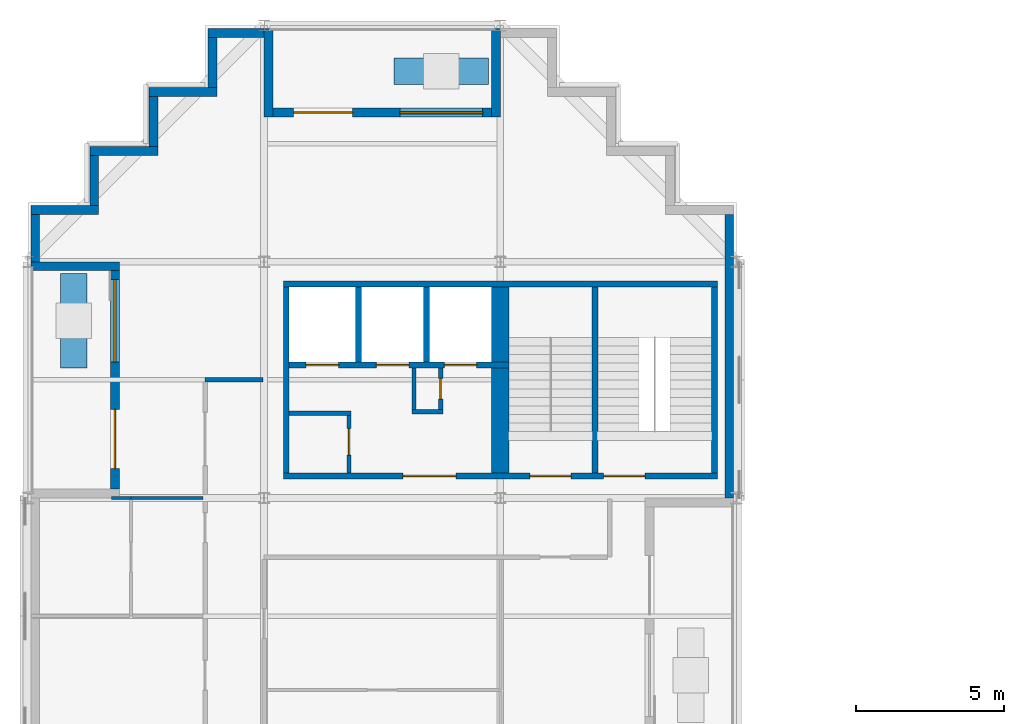
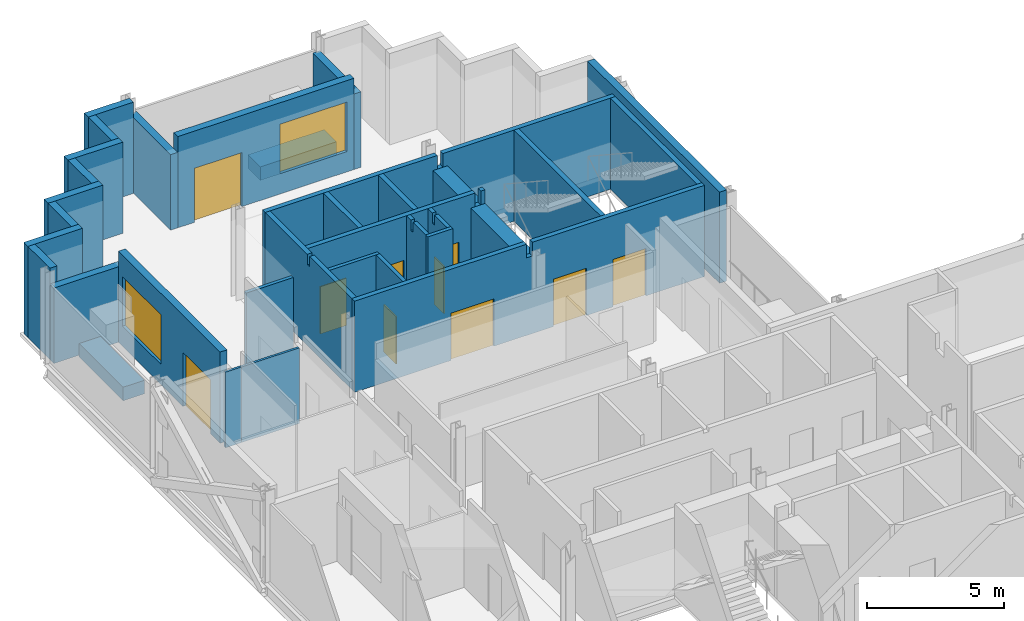
# One storey, part 8 of 12: 34 walls, 10 doors, 2 windows, 12 openings.
"""IFC4 building model written with IfcOpenShell, lengths in metres."""

from ifc_helpers import new_model, si_unit, direction, frame, frame_2d, origin, place, context, subcontext, project, spatial, polyline, rectangle, outline, extrude, material, layer, layer_set, type_object, element, fill, save


model = new_model("IFC4")

# Units and contexts
model_context = context("Model", 3, precision=1e-05, world=origin(), true_north=direction((0.0, 1.0)))
body_context = subcontext(model_context, "Body", "Model", "MODEL_VIEW")
ifc_project = project(units=[si_unit("LENGTHUNIT", "METRE"), si_unit("AREAUNIT", "SQUARE_METRE"), si_unit("VOLUMEUNIT", "CUBIC_METRE"), si_unit("PLANEANGLEUNIT", "RADIAN"), si_unit("MASSUNIT", "GRAM", prefix="KILO")], contexts=[model_context])

# Site, building, storey
site_placement = place(None, origin())
site = spatial("IfcSite", under=ifc_project, at=site_placement, CompositionType="ELEMENT")
building_placement = place(site_placement, origin())
building = spatial("IfcBuilding", under=site, at=building_placement, Name="Immortelle Media Tower", CompositionType="ELEMENT")
storey_placement = place(building_placement, frame((0.0, 0.0, 153.60009765625)))
storey = spatial("IfcBuildingStorey", under=building, at=storey_placement, Name="L31", CompositionType="ELEMENT", Elevation=153.60009765625)

# Wall
ifc_material_1 = material(Name="Fire-rated gypsum board", Category="gypsum")
ifc_layer_1 = layer(ifc_material_1, 0.02490234375)
ifc_material_2 = material(Name="Steel ASTM A653 SS Gr 50 stud frame with mineral wool", Category="steel")
ifc_layer_2 = layer(ifc_material_2, 0.10009765625)
ifc_layer_3 = layer(ifc_material_1, 0.02490234375)
ifc_layer_set_1 = layer_set([ifc_layer_1, ifc_layer_2, ifc_layer_3], Name="Steel ASTM A653 SS Gr 50 stud frame with mineral wool")
wall_type_1 = type_object("IfcWallType", Name="Core partition 150", PredefinedType="PARTITIONING", material=ifc_layer_set_1)
wall_1_placement = place(storey_placement, frame((8.85009765625, 34.875, 0.0), z_axis=(0.0, 0.0, 1.0), x_axis=(1.0, 0.0, 0.0)))
element("IfcWall", 1, at=wall_1_placement, inside=storey, type_object=wall_type_1, Name="Core partition NW", PredefinedType="PARTITIONING", context=body_context, shape_type="SweptSolid", body=[
    extrude(rectangle(XDim=2.099853515625, YDim=0.14990234375, at=frame_2d((1.0498046875, 0.0))), origin(), (0.0, 0.0, 1.0), 4.0498046875),
])

# Wall, opening, door
wall_2_placement = place(storey_placement, frame((10.875, 32.85009765625, 0.0), z_axis=(0.0, 0.0, 1.0), x_axis=(0.0, 1.0, 0.0)))
wall_2 = element("IfcWall", 2, at=wall_2_placement, inside=storey, type_object=wall_type_1, Name="Core partition NW", PredefinedType="PARTITIONING", context=body_context, shape_type="SweptSolid", body=[
    extrude(rectangle(XDim=1.949951171875, YDim=0.14990234375, at=frame_2d((0.97509765625, 0.0))), origin(), (0.0, 0.0, 1.0), 4.0498046875),
])
opening_1_placement = place(wall_2_placement, frame((0.60009765625, 0.0, 0.0)))
opening_1 = element("IfcOpeningElement", 3, at=opening_1_placement, cuts=wall_2, Name="Opening C3-K024", PredefinedType="OPENING", context=body_context, shape_type="SweptSolid", body=[
    extrude(rectangle(XDim=0.89990234375, YDim=2.10009765625, at=frame_2d((0.449951171875, 1.050048828125))), frame((0.0, 0.0849609375, 0.0), z_axis=(0.0, -1.0, 0.0), x_axis=(1.0, 0.0, 0.0)), (0.0, 0.0, 1.0), 0.169921875),
])
ifc_material_3 = material(Name="Galvanised steel door leaf and frame ASTM A653", Category="steel")
door_type_1 = type_object("IfcDoorType", Name="Service door 900 x 2100", OperationType="NOTDEFINED", PredefinedType="NOTDEFINED", material=ifc_material_3)
door_1_placement = place(opening_1_placement, origin())
door_1 = element("IfcDoor", 4, at=door_1_placement, inside=storey, type_object=door_type_1, Name="Service C3-K024", OperationType="SINGLE_SWING_RIGHT", OverallHeight=2.10009765625, OverallWidth=0.89990234375, PredefinedType="NOTDEFINED", context=body_context, shape_type="SweptSolid", body=[
    extrude(rectangle(XDim=0.89990234375, YDim=2.10009765625, at=frame_2d((0.449951171875, 1.050048828125))), frame((0.0, 0.02490234375, 0.0), z_axis=(0.0, -1.0, 0.0), x_axis=(1.0, 0.0, 0.0)), (0.0, 0.0, 1.0), 0.050048828125),
])
fill(opening_1, door_1)

# Walls
wall_3_placement = place(storey_placement, frame((13.0, 34.925048828125, 0.0), z_axis=(0.0, 0.0, 1.0), x_axis=(1.0, 0.0, 0.0)))
element("IfcWall", 5, at=wall_3_placement, inside=storey, type_object=wall_type_1, Name="Core partition NW", PredefinedType="PARTITIONING", context=body_context, shape_type="SweptSolid", body=[
    extrude(rectangle(XDim=1.050048828125, YDim=0.14990234375, at=frame_2d((0.52490234375, 0.0))), origin(), (0.0, 0.0, 1.0), 4.0498046875),
])
wall_4_placement = place(storey_placement, frame((13.074951171875, 35.0, 0.0), z_axis=(0.0, 0.0, 1.0), x_axis=(0.0, 1.0, 0.0)))
element("IfcWall", 6, at=wall_4_placement, inside=storey, type_object=wall_type_1, Name="Core partition NW", PredefinedType="PARTITIONING", context=body_context, shape_type="SweptSolid", body=[
    extrude(outline(polyline([(0.0, 0.0), (1.39990234375, 0.0), (1.39990234375, 4.0498046875), (1.08154296875, 4.0498046875), (1.08056640625, 3.5888671875), (0.91943359375, 3.5888671875), (0.91845703125, 4.0498046875), (0.0, 4.0498046875), (0.0, 0.0)])), frame((0.0, 0.074951171875, 0.0), z_axis=(0.0, -1.0, 0.0), x_axis=(1.0, 0.0, 0.0)), (0.0, 0.0, 1.0), 0.14990234375),
])

# Wall, opening, door
wall_5_placement = place(storey_placement, frame((13.97509765625, 35.0, 0.0), z_axis=(0.0, 0.0, 1.0), x_axis=(0.0, 1.0, 0.0)))
wall_5 = element("IfcWall", 7, at=wall_5_placement, inside=storey, type_object=wall_type_1, Name="Core partition NW", PredefinedType="PARTITIONING", context=body_context, shape_type="SweptSolid", body=[
    extrude(outline(polyline([(0.0, 0.0), (1.39990234375, 0.0), (1.39990234375, 4.0498046875), (1.08154296875, 4.0498046875), (1.08056640625, 3.5888671875), (0.91943359375, 3.5888671875), (0.91845703125, 4.0498046875), (0.0, 4.0498046875), (0.0, 0.0)])), frame((0.0, 0.074951171875, 0.0), z_axis=(0.0, -1.0, 0.0), x_axis=(1.0, 0.0, 0.0)), (0.0, 0.0, 1.0), 0.14990234375),
])
opening_2_placement = place(wall_5_placement, frame((0.35009765625, 0.0, 0.0)))
opening_2 = element("IfcOpeningElement", 8, at=opening_2_placement, cuts=wall_5, Name="Opening C3-K027", PredefinedType="OPENING", context=body_context, shape_type="SweptSolid", body=[
    extrude(rectangle(XDim=0.699951171875, YDim=2.10009765625, at=frame_2d((0.35009765625, 1.050048828125))), frame((0.0, 0.0849609375, 0.0), z_axis=(0.0, -1.0, 0.0), x_axis=(1.0, 0.0, 0.0)), (0.0, 0.0, 1.0), 0.169921875),
])
door_type_2 = type_object("IfcDoorType", Name="Service door 700 x 2100", OperationType="NOTDEFINED", PredefinedType="NOTDEFINED", material=ifc_material_3)
door_2_placement = place(opening_2_placement, origin())
door_2 = element("IfcDoor", 9, at=door_2_placement, inside=storey, type_object=door_type_2, Name="Service C3-K027", OperationType="SINGLE_SWING_RIGHT", OverallHeight=2.10009765625, OverallWidth=0.699951171875, PredefinedType="NOTDEFINED", context=body_context, shape_type="SweptSolid", body=[
    extrude(rectangle(XDim=0.699951171875, YDim=2.10009765625, at=frame_2d((0.35009765625, 1.050048828125))), frame((0.0, 0.02490234375, 0.0), z_axis=(0.0, -1.0, 0.0), x_axis=(1.0, 0.0, 0.0)), (0.0, 0.0, 1.0), 0.050048828125),
])
fill(opening_2, door_2)

# Wall
ifc_layer_4 = layer(ifc_material_1, 0.03759765625)
ifc_layer_5 = layer(ifc_material_2, 0.125)
ifc_layer_6 = layer(ifc_material_1, 0.03759765625)
ifc_layer_set_2 = layer_set([ifc_layer_4, ifc_layer_5, ifc_layer_6], Name="Steel ASTM A653 SS Gr 50 stud frame with mineral wool")
wall_type_2 = type_object("IfcWallType", Name="Core shaft wall 200", PredefinedType="PARTITIONING", material=ifc_layer_set_2)
wall_6_placement = place(storey_placement, frame((8.75, 32.85009765625, 0.0), z_axis=(0.0, 0.0, 1.0), x_axis=(0.0, 1.0, 0.0)))
element("IfcWall", 10, at=wall_6_placement, inside=storey, type_object=wall_type_2, Name="Core shaft wall NW", PredefinedType="PARTITIONING", context=body_context, shape_type="SweptSolid", body=[
    extrude(outline(polyline([(0.0, 0.0), (6.2998046875, 0.0), (6.300048828125, 4.0498046875), (3.2314453125, 4.0498046875), (3.23046875, 3.5888671875), (3.069580078125, 3.5888671875), (3.068603515625, 4.0498046875), (0.0, 4.0498046875), (0.0, 0.0)])), frame((0.0, 0.10009765625, 0.0), z_axis=(0.0, -1.0, 0.0), x_axis=(1.0, 0.0, 0.0)), (0.0, 0.0, 1.0), 0.199951171875),
])

# Wall, openings, doors
wall_7_placement = place(storey_placement, frame((8.85009765625, 36.5, 0.0), z_axis=(0.0, 0.0, 1.0), x_axis=(1.0, 0.0, 0.0)))
wall_7 = element("IfcWall", 11, at=wall_7_placement, inside=storey, type_object=wall_type_2, Name="Core shaft wall NW", PredefinedType="PARTITIONING", context=body_context, shape_type="SweptSolid", body=[
    extrude(outline(polyline([(0.0, 0.0), (7.449951171875, 0.0), (7.449951171875, 4.0498046875), (7.26904296875, 4.0498046875), (7.26806640625, 3.44189453125), (7.031982421875, 3.44189453125), (7.031005859375, 4.0498046875), (0.0, 4.0498046875), (0.0, 0.0)])), frame((0.0, 0.10009765625, 0.0), z_axis=(0.0, -1.0, 0.0), x_axis=(1.0, 0.0, 0.0)), (0.0, 0.0, 1.0), 0.199951171875),
])
opening_3_placement = place(wall_7_placement, frame((0.574951171875, 0.0, 0.0)))
opening_3 = element("IfcOpeningElement", 12, at=opening_3_placement, cuts=wall_7, Name="Opening LD", PredefinedType="OPENING", context=body_context, shape_type="SweptSolid", body=[
    extrude(rectangle(XDim=1.10009765625, YDim=2.10009765625, at=frame_2d((0.550048828125, 1.050048828125))), frame((0.0, 0.10986328125, 0.0), z_axis=(0.0, -1.0, 0.0), x_axis=(1.0, 0.0, 0.0)), (0.0, 0.0, 1.0), 0.219970703125),
])
opening_4_placement = place(wall_7_placement, frame((2.949951171875, 0.0, 0.0)))
opening_4 = element("IfcOpeningElement", 13, at=opening_4_placement, cuts=wall_7, Name="Opening LD", PredefinedType="OPENING", context=body_context, shape_type="SweptSolid", body=[
    extrude(rectangle(XDim=1.10009765625, YDim=2.10009765625, at=frame_2d((0.550048828125, 1.050048828125))), frame((0.0, 0.10986328125, 0.0), z_axis=(0.0, -1.0, 0.0), x_axis=(1.0, 0.0, 0.0)), (0.0, 0.0, 1.0), 0.219970703125),
])
opening_5_placement = place(wall_7_placement, frame((5.25, 0.0, 0.0)))
opening_5 = element("IfcOpeningElement", 14, at=opening_5_placement, cuts=wall_7, Name="Opening LD", PredefinedType="OPENING", context=body_context, shape_type="SweptSolid", body=[
    extrude(rectangle(XDim=1.10009765625, YDim=2.10009765625, at=frame_2d((0.550048828125, 1.050048828125))), frame((0.0, 0.10986328125, 0.0), z_axis=(0.0, -1.0, 0.0), x_axis=(1.0, 0.0, 0.0)), (0.0, 0.0, 1.0), 0.219970703125),
])
ifc_material_4 = material(Name="Stainless steel AISI 304", Category="steel")
door_type_3 = type_object("IfcDoorType", Name="Landing door 1100 x 2100", OperationType="SLIDING_TO_LEFT", PredefinedType="NOTDEFINED", material=ifc_material_4)
door_3_placement = place(opening_3_placement, origin())
door_3 = element("IfcDoor", 15, at=door_3_placement, inside=storey, type_object=door_type_3, Name="Landing door MR1 L31", OperationType="SLIDING_TO_LEFT", OverallHeight=2.10009765625, OverallWidth=1.10009765625, PredefinedType="NOTDEFINED", context=body_context, shape_type="SweptSolid", body=[
    extrude(rectangle(XDim=1.10009765625, YDim=2.10009765625, at=frame_2d((0.550048828125, 1.050048828125))), frame((0.0, 0.02490234375, 0.0), z_axis=(0.0, -1.0, 0.0), x_axis=(1.0, 0.0, 0.0)), (0.0, 0.0, 1.0), 0.050048828125),
])
fill(opening_3, door_3)
door_4_placement = place(opening_4_placement, origin())
door_4 = element("IfcDoor", 16, at=door_4_placement, inside=storey, type_object=door_type_3, Name="Landing door MR2 L31", OperationType="SLIDING_TO_LEFT", OverallHeight=2.10009765625, OverallWidth=1.10009765625, PredefinedType="NOTDEFINED", context=body_context, shape_type="SweptSolid", body=[
    extrude(rectangle(XDim=1.10009765625, YDim=2.10009765625, at=frame_2d((0.550048828125, 1.050048828125))), frame((0.0, 0.02490234375, 0.0), z_axis=(0.0, -1.0, 0.0), x_axis=(1.0, 0.0, 0.0)), (0.0, 0.0, 1.0), 0.050048828125),
])
fill(opening_4, door_4)
door_5_placement = place(opening_5_placement, origin())
door_5 = element("IfcDoor", 17, at=door_5_placement, inside=storey, type_object=door_type_3, Name="Landing door MR3 L31", OperationType="SLIDING_TO_LEFT", OverallHeight=2.10009765625, OverallWidth=1.10009765625, PredefinedType="NOTDEFINED", context=body_context, shape_type="SweptSolid", body=[
    extrude(rectangle(XDim=1.10009765625, YDim=2.10009765625, at=frame_2d((0.550048828125, 1.050048828125))), frame((0.0, 0.02490234375, 0.0), z_axis=(0.0, -1.0, 0.0), x_axis=(1.0, 0.0, 0.0)), (0.0, 0.0, 1.0), 0.050048828125),
])
fill(opening_5, door_5)

# Walls
for number, where, z_axis, x_axis, name in (
    (18, (11.199951171875, 36.60009765625, 0.0), (0.0, 0.0, 1.0), (0.0, 1.0, 0.0), "Core shaft wall NW"),
    (19, (13.5, 36.60009765625, 0.0), (0.0, 0.0, 1.0), (0.0, 1.0, 0.0), "Core shaft wall NW"),
):
    element("IfcWall", number, at=place(storey_placement, frame(where, z_axis=z_axis, x_axis=x_axis)), inside=storey, type_object=wall_type_2, Name=name, PredefinedType="PARTITIONING", context=body_context, shape_type="SweptSolid", body=[
        extrude(rectangle(XDim=2.5498046875, YDim=0.199951171875, at=frame_2d((1.27490234375, 0.0))), origin(), (0.0, 0.0, 1.0), 4.0498046875),
    ])
ifc_layer_7 = layer(ifc_material_1, 0.012451171875)
ifc_layer_8 = layer(ifc_material_2, 0.125)
ifc_layer_9 = layer(ifc_material_1, 0.012451171875)
ifc_layer_set_3 = layer_set([ifc_layer_7, ifc_layer_8, ifc_layer_9], Name="Steel ASTM A653 SS Gr 50 stud frame with mineral wool")
wall_type_3 = type_object("IfcWallType", Name="Corridor wall 150", PredefinedType="PARTITIONING", material=ifc_layer_set_3)
wall_8_placement = place(storey_placement, frame((6.0, 36.0, 0.0), z_axis=(0.0, 0.0, 1.0), x_axis=(1.0, 0.0, 0.0)))
element("IfcWall", 20, at=wall_8_placement, inside=storey, type_object=wall_type_3, Name="Partition L31-030", PredefinedType="PARTITIONING", context=body_context, shape_type="SweptSolid", body=[
    extrude(rectangle(XDim=1.969970703125, YDim=0.14990234375, at=frame_2d((0.98486328125, 0.0))), origin(), (0.0, 0.0, 1.0), 3.35400390625),
])
ifc_material_5 = material(Name="Pale aluminium cladding panel", Category="aluminium")
ifc_layer_10 = layer(ifc_material_5, 0.030029296875)
ifc_layer_11 = layer(ifc_material_2, 0.257568359375)
ifc_material_6 = material(Name="Moisture-resistant gypsum board", Category="gypsum")
ifc_layer_12 = layer(ifc_material_6, 0.012451171875)
ifc_layer_set_4 = layer_set([ifc_layer_10, ifc_layer_11, ifc_layer_12], Name="Steel ASTM A653 SS Gr 50 stud frame with mineral wool")
wall_type_4 = type_object("IfcWallType", Name="Facade wall 300", PredefinedType="SOLIDWALL", material=ifc_layer_set_4)
wall_9_placement = place(storey_placement, frame((23.75, 32.0, 0.0), z_axis=(0.0, 0.0, 1.0), x_axis=(0.0, 1.0, 0.0)))
element("IfcWall", 21, at=wall_9_placement, inside=storey, type_object=wall_type_4, Name="Facade wall L31 E21", PredefinedType="SOLIDWALL", context=body_context, shape_type="SweptSolid", body=[
    extrude(rectangle(XDim=9.60009765625, YDim=0.300048828125, at=frame_2d((4.800048828125, 0.0))), origin(), (0.0, 0.0, 1.0), 4.0498046875),
])

# Wall, openings, door, window
wall_10_placement = place(storey_placement, frame((15.699951171875, 45.050048828125, 0.0), z_axis=(0.0, 0.0, 1.0), x_axis=(-1.0, 0.0, 0.0)))
wall_10 = element("IfcWall", 22, at=wall_10_placement, inside=storey, type_object=wall_type_4, Name="Loggia wall L31 N28", PredefinedType="SOLIDWALL", context=body_context, shape_type="SweptSolid", body=[
    extrude(rectangle(XDim=7.39990234375, YDim=0.300048828125, at=frame_2d((3.699951171875, 0.0))), origin(), (0.0, 0.0, 1.0), 4.0498046875),
])
opening_6_placement = place(wall_10_placement, frame((0.300048828125, 0.0, 0.89990234375)))
opening_6 = element("IfcOpeningElement", 23, at=opening_6_placement, cuts=wall_10, Name="Opening W1", PredefinedType="OPENING", context=body_context, shape_type="SweptSolid", body=[
    extrude(rectangle(XDim=2.800048828125, YDim=2.199951171875, at=frame_2d((1.39990234375, 1.10009765625))), frame((0.0, 0.159912109375, 0.0), z_axis=(0.0, -1.0, 0.0), x_axis=(1.0, 0.0, 0.0)), (0.0, 0.0, 1.0), 0.320068359375),
])
opening_7_placement = place(wall_10_placement, frame((4.699951171875, 0.0, 0.0)))
opening_7 = element("IfcOpeningElement", 24, at=opening_7_placement, cuts=wall_10, Name="Opening C3-E006", PredefinedType="OPENING", context=body_context, shape_type="SweptSolid", body=[
    extrude(rectangle(XDim=2.0, YDim=2.39990234375, at=frame_2d((1.0, 1.199951171875))), frame((0.0, 0.159912109375, 0.0), z_axis=(0.0, -1.0, 0.0), x_axis=(1.0, 0.0, 0.0)), (0.0, 0.0, 1.0), 0.320068359375),
])
ifc_material_7 = material(Name="Aluminium frame, glazed leaves", Category="aluminium")
door_type_4 = type_object("IfcDoorType", Name="Loggia door 2000 x 2400", OperationType="DOUBLE_DOOR_SINGLE_SWING", PredefinedType="DOOR", material=ifc_material_7)
door_6_placement = place(opening_7_placement, origin())
door_6 = element("IfcDoor", 25, at=door_6_placement, inside=storey, type_object=door_type_4, Name="Door C3-E006", OperationType="DOUBLE_DOOR_SINGLE_SWING", OverallHeight=2.39990234375, OverallWidth=2.0, PredefinedType="DOOR", context=body_context, shape_type="SweptSolid", body=[
    extrude(rectangle(XDim=2.0, YDim=2.39990234375, at=frame_2d((1.0, 1.199951171875))), frame((0.0, 0.02490234375, 0.0), z_axis=(0.0, -1.0, 0.0), x_axis=(1.0, 0.0, 0.0)), (0.0, 0.0, 1.0), 0.050048828125),
])
fill(opening_7, door_6)
ifc_material_8 = material(Name="Aluminium frame", Category="aluminium")
window_type = type_object("IfcWindowType", Name="Window 2800 x 2200", PartitioningType="SINGLE_PANEL", PredefinedType="WINDOW", material=ifc_material_8)
window_1_placement = place(opening_6_placement, origin())
window_1 = element("IfcWindow", 26, at=window_1_placement, inside=storey, type_object=window_type, Name="Window L31 L31-R28-B0", OverallHeight=2.199951171875, OverallWidth=2.800048828125, PartitioningType="SINGLE_PANEL", PredefinedType="WINDOW", context=body_context, shape_type="SweptSolid", body=[
    extrude(rectangle(XDim=2.800048828125, YDim=2.199951171875, at=frame_2d((1.39990234375, 1.10009765625))), frame((0.0, 0.030029296875, 0.0), z_axis=(0.0, -1.0, 0.0), x_axis=(1.0, 0.0, 0.0)), (0.0, 0.0, 1.0), 0.06005859375),
])
fill(opening_6, window_1)

# Walls
for number, where, z_axis, x_axis, name in (
    (27, (15.85009765625, 47.89990234375, 0.0), (0.0, 0.0, 1.0), (0.0, -1.0, 0.0), "Loggia cheek wall L31 N"),
    (28, (8.14990234375, 47.89990234375, 0.0), (0.0, 0.0, 1.0), (0.0, -1.0, 0.0), "Loggia cheek wall L31 N"),
):
    element("IfcWall", number, at=place(storey_placement, frame(where, z_axis=z_axis, x_axis=x_axis)), inside=storey, type_object=wall_type_4, Name=name, PredefinedType="SOLIDWALL", context=body_context, shape_type="SweptSolid", body=[
        extrude(rectangle(XDim=3.0, YDim=0.300048828125, at=frame_2d((1.5, 0.0))), origin(), (0.0, 0.0, 1.0), 3.352783203125),
    ])
wall_11_placement = place(storey_placement, frame((8.0, 47.75, 0.0), z_axis=(0.0, 0.0, 1.0), x_axis=(-1.0, 0.0, 0.0)))
element("IfcWall", 29, at=wall_11_placement, inside=storey, type_object=wall_type_4, Name="Facade wall L31 N28", PredefinedType="SOLIDWALL", context=body_context, shape_type="SweptSolid", body=[
    extrude(rectangle(XDim=1.89990234375, YDim=0.300048828125, at=frame_2d((0.949951171875, 0.0))), origin(), (0.0, 0.0, 1.0), 4.0498046875),
])
wall_12_placement = place(storey_placement, frame((6.25, 47.60009765625, 0.0), z_axis=(0.0, 0.0, 1.0), x_axis=(0.0, -1.0, 0.0)))
element("IfcWall", 30, at=wall_12_placement, inside=storey, type_object=wall_type_4, Name="Facade wall L31 W29", PredefinedType="SOLIDWALL", context=body_context, shape_type="SweptSolid", body=[
    extrude(rectangle(XDim=1.7001953125, YDim=0.300048828125, at=frame_2d((0.85009765625, 0.0))), origin(), (0.0, 0.0, 1.0), 4.0498046875),
])
wall_13_placement = place(storey_placement, frame((6.39990234375, 45.75, 0.0), z_axis=(0.0, 0.0, 1.0), x_axis=(-1.0, 0.0, 0.0)))
element("IfcWall", 31, at=wall_13_placement, inside=storey, type_object=wall_type_4, Name="Facade wall L31 N30", PredefinedType="SOLIDWALL", context=body_context, shape_type="SweptSolid", body=[
    extrude(rectangle(XDim=2.2998046875, YDim=0.300048828125, at=frame_2d((1.14990234375, 0.0))), origin(), (0.0, 0.0, 1.0), 4.0498046875),
])
wall_14_placement = place(storey_placement, frame((4.25, 45.60009765625, 0.0), z_axis=(0.0, 0.0, 1.0), x_axis=(0.0, -1.0, 0.0)))
element("IfcWall", 32, at=wall_14_placement, inside=storey, type_object=wall_type_4, Name="Facade wall L31 W31", PredefinedType="SOLIDWALL", context=body_context, shape_type="SweptSolid", body=[
    extrude(rectangle(XDim=1.7001953125, YDim=0.300048828125, at=frame_2d((0.85009765625, 0.0))), origin(), (0.0, 0.0, 1.0), 4.0498046875),
])
wall_15_placement = place(storey_placement, frame((4.39990234375, 43.75, 0.0), z_axis=(0.0, 0.0, 1.0), x_axis=(-1.0, 0.0, 0.0)))
element("IfcWall", 33, at=wall_15_placement, inside=storey, type_object=wall_type_4, Name="Facade wall L31 N32", PredefinedType="SOLIDWALL", context=body_context, shape_type="SweptSolid", body=[
    extrude(rectangle(XDim=2.2998046875, YDim=0.300048828125, at=frame_2d((1.14990234375, 0.0))), origin(), (0.0, 0.0, 1.0), 4.0498046875),
])
wall_16_placement = place(storey_placement, frame((2.25, 43.60009765625, 0.0), z_axis=(0.0, 0.0, 1.0), x_axis=(0.0, -1.0, 0.0)))
element("IfcWall", 34, at=wall_16_placement, inside=storey, type_object=wall_type_4, Name="Facade wall L31 W33", PredefinedType="SOLIDWALL", context=body_context, shape_type="SweptSolid", body=[
    extrude(rectangle(XDim=1.7001953125, YDim=0.300048828125, at=frame_2d((0.85009765625, 0.0))), origin(), (0.0, 0.0, 1.0), 4.0498046875),
])
wall_17_placement = place(storey_placement, frame((2.39990234375, 41.75, 0.0), z_axis=(0.0, 0.0, 1.0), x_axis=(-1.0, 0.0, 0.0)))
element("IfcWall", 35, at=wall_17_placement, inside=storey, type_object=wall_type_4, Name="Facade wall L31 N34", PredefinedType="SOLIDWALL", context=body_context, shape_type="SweptSolid", body=[
    extrude(rectangle(XDim=2.2998046875, YDim=0.300048828125, at=frame_2d((1.14990234375, 0.0))), origin(), (0.0, 0.0, 1.0), 4.0498046875),
])
wall_18_placement = place(storey_placement, frame((0.25, 41.60009765625, 0.0), z_axis=(0.0, 0.0, 1.0), x_axis=(0.0, -1.0, 0.0)))
element("IfcWall", 36, at=wall_18_placement, inside=storey, type_object=wall_type_4, Name="Facade wall L31 W35", PredefinedType="SOLIDWALL", context=body_context, shape_type="SweptSolid", body=[
    extrude(rectangle(XDim=1.60009765625, YDim=0.300048828125, at=frame_2d((0.800048828125, 0.0))), origin(), (0.0, 0.0, 1.0), 4.0498046875),
])

# Wall, openings, door, window
wall_19_placement = place(storey_placement, frame((2.949951171875, 39.699951171875, 0.0), z_axis=(0.0, 0.0, 1.0), x_axis=(0.0, -1.0, 0.0)))
wall_19 = element("IfcWall", 37, at=wall_19_placement, inside=storey, type_object=wall_type_4, Name="Loggia wall L31 W35", PredefinedType="SOLIDWALL", context=body_context, shape_type="SweptSolid", body=[
    extrude(rectangle(XDim=7.39990234375, YDim=0.300048828125, at=frame_2d((3.699951171875, 0.0))), origin(), (0.0, 0.0, 1.0), 4.0498046875),
])
opening_8_placement = place(wall_19_placement, frame((0.300048828125, 0.0, 0.89990234375)))
opening_8 = element("IfcOpeningElement", 38, at=opening_8_placement, cuts=wall_19, Name="Opening W1", PredefinedType="OPENING", context=body_context, shape_type="SweptSolid", body=[
    extrude(rectangle(XDim=2.800048828125, YDim=2.199951171875, at=frame_2d((1.39990234375, 1.10009765625))), frame((0.0, 0.159912109375, 0.0), z_axis=(0.0, -1.0, 0.0), x_axis=(1.0, 0.0, 0.0)), (0.0, 0.0, 1.0), 0.320068359375),
])
opening_9_placement = place(wall_19_placement, frame((4.699951171875, 0.0, 0.0)))
opening_9 = element("IfcOpeningElement", 39, at=opening_9_placement, cuts=wall_19, Name="Opening C3-E007", PredefinedType="OPENING", context=body_context, shape_type="SweptSolid", body=[
    extrude(rectangle(XDim=2.0, YDim=2.39990234375, at=frame_2d((1.0, 1.199951171875))), frame((0.0, 0.159912109375, 0.0), z_axis=(0.0, -1.0, 0.0), x_axis=(1.0, 0.0, 0.0)), (0.0, 0.0, 1.0), 0.320068359375),
])
door_7_placement = place(opening_9_placement, origin())
door_7 = element("IfcDoor", 40, at=door_7_placement, inside=storey, type_object=door_type_4, Name="Door C3-E007", OperationType="DOUBLE_DOOR_SINGLE_SWING", OverallHeight=2.39990234375, OverallWidth=2.0, PredefinedType="DOOR", context=body_context, shape_type="SweptSolid", body=[
    extrude(rectangle(XDim=2.0, YDim=2.39990234375, at=frame_2d((1.0, 1.199951171875))), frame((0.0, 0.02490234375, 0.0), z_axis=(0.0, -1.0, 0.0), x_axis=(1.0, 0.0, 0.0)), (0.0, 0.0, 1.0), 0.050048828125),
])
fill(opening_9, door_7)
window_2_placement = place(opening_8_placement, origin())
window_2 = element("IfcWindow", 41, at=window_2_placement, inside=storey, type_object=window_type, Name="Window L31 L31-R35-B0", OverallHeight=2.199951171875, OverallWidth=2.800048828125, PartitioningType="SINGLE_PANEL", PredefinedType="WINDOW", context=body_context, shape_type="SweptSolid", body=[
    extrude(rectangle(XDim=2.800048828125, YDim=2.199951171875, at=frame_2d((1.39990234375, 1.10009765625))), frame((0.0, 0.030029296875, 0.0), z_axis=(0.0, -1.0, 0.0), x_axis=(1.0, 0.0, 0.0)), (0.0, 0.0, 1.0), 0.06005859375),
])
fill(opening_8, window_2)

# Walls
wall_20_placement = place(storey_placement, frame((0.10009765625, 39.85009765625, 0.0), z_axis=(0.0, 0.0, 1.0), x_axis=(1.0, 0.0, 0.0)))
element("IfcWall", 42, at=wall_20_placement, inside=storey, type_object=wall_type_4, Name="Loggia cheek wall L31 W", PredefinedType="SOLIDWALL", context=body_context, shape_type="SweptSolid", body=[
    extrude(rectangle(XDim=3.0, YDim=0.300048828125, at=frame_2d((1.5, 0.0))), origin(), (0.0, 0.0, 1.0), 3.352783203125),
])
ifc_material_9 = material(Name="Gypsum board", Category="gypsum")
ifc_layer_13 = layer(ifc_material_9, 0.012451171875)
ifc_layer_14 = layer(ifc_material_2, 0.074951171875)
ifc_layer_15 = layer(ifc_material_9, 0.012451171875)
ifc_layer_set_5 = layer_set([ifc_layer_13, ifc_layer_14, ifc_layer_15], Name="Steel ASTM A653 SS Gr 50 stud frame with mineral wool")
wall_type_5 = type_object("IfcWallType", Name="Partition 100", PredefinedType="PARTITIONING", material=ifc_layer_set_5)
wall_21_placement = place(storey_placement, frame((2.830078125, 32.0, 0.0), z_axis=(0.0, 0.0, 1.0), x_axis=(1.0, 0.0, 0.0)))
element("IfcWall", 43, at=wall_21_placement, inside=storey, type_object=wall_type_5, Name="Partition L31-028", PredefinedType="PARTITIONING", context=body_context, shape_type="SweptSolid", body=[
    extrude(rectangle(XDim=0.669921875, YDim=0.10009765625, at=frame_2d((0.3349609375, 0.0))), origin(), (0.0, 0.0, 1.0), 3.35400390625),
])
wall_22_placement = place(storey_placement, frame((3.5, 32.0, 0.0), z_axis=(0.0, 0.0, 1.0), x_axis=(1.0, 0.0, 0.0)))
element("IfcWall", 44, at=wall_22_placement, inside=storey, type_object=wall_type_5, Name="Partition L31-029", PredefinedType="PARTITIONING", context=body_context, shape_type="SweptSolid", body=[
    extrude(rectangle(XDim=2.425048828125, YDim=0.10009765625, at=frame_2d((1.21240234375, 0.0))), origin(), (0.0, 0.0, 1.0), 3.35400390625),
])
ifc_layer_16 = layer(ifc_material_5, 0.0029296875)
ifc_material_10 = material(Name="Steel ASTM A572 Gr 50 planter shell", Category="steel")
ifc_layer_17 = layer(ifc_material_10, 0.011962890625)
ifc_material_11 = material(Name="Planting substrate", Category="soil")
ifc_layer_18 = layer(ifc_material_11, 0.873046875)
ifc_layer_19 = layer(ifc_material_10, 0.011962890625)
ifc_layer_set_6 = layer_set([ifc_layer_16, ifc_layer_17, ifc_layer_18, ifc_layer_19], Name="Steel ASTM A572 Gr 50 planter shell")
wall_type_6 = type_object("IfcWallType", Name="Planter wall 900", PredefinedType="SOLIDWALL", material=ifc_layer_set_6)
for number, where, z_axis, x_axis, name in (
    (45, (15.60009765625, 46.449951171875, 0.0), (0.0, 0.0, 1.0), (-1.0, 0.0, 0.0), "Planter L31 N0"),
    (46, (1.550048828125, 39.60009765625, 0.0), (0.0, 0.0, 1.0), (0.0, -1.0, 0.0), "Planter L31 W0"),
):
    element("IfcWall", number, at=place(storey_placement, frame(where, z_axis=z_axis, x_axis=x_axis)), inside=storey, type_object=wall_type_6, Name=name, PredefinedType="SOLIDWALL", context=body_context, shape_type="SweptSolid", body=[
        extrude(rectangle(XDim=3.2001953125, YDim=0.89990234375, at=frame_2d((1.60009765625, 0.0))), origin(), (0.0, 0.0, 1.0), 0.599853515625),
    ])

# Wall, openings, doors
ifc_material_12 = material(Name="Concrete C60", Category="concrete")
ifc_layer_20 = layer(ifc_material_12, 0.199951171875)
ifc_layer_set_7 = layer_set([ifc_layer_20], Name="Concrete C60")
wall_type_7 = type_object("IfcWallType", Name="Stair shaft wall 200", PredefinedType="PARTITIONING", material=ifc_layer_set_7)
wall_23_placement = place(storey_placement, frame((8.64990234375, 32.75, 0.0), z_axis=(0.0, 0.0, 1.0), x_axis=(1.0, 0.0, 0.0)))
wall_23 = element("IfcWall", 47, at=wall_23_placement, inside=storey, type_object=wall_type_7, Name="Stair shaft wall NW", PredefinedType="PARTITIONING", context=body_context, shape_type="SweptSolid", body=[
    extrude(outline(polyline([(0.0, 0.0), (14.7001953125, 0.0), (14.699951171875, 4.0498046875), (7.468994140625, 4.0498046875), (7.468017578125, 3.44189453125), (7.23193359375, 3.44189453125), (7.23095703125, 4.0498046875), (0.0, 4.0498046875), (0.0, 0.0)])), frame((0.0, 0.10009765625, 0.0), z_axis=(0.0, -1.0, 0.0), x_axis=(1.0, 0.0, 0.0)), (0.0, 0.0, 1.0), 0.199951171875),
])
opening_10_placement = place(wall_23_placement, frame((4.050048828125, 0.0, 0.0)))
opening_10 = element("IfcOpeningElement", 48, at=opening_10_placement, cuts=wall_23, Name="Opening C3-K026", PredefinedType="OPENING", context=body_context, shape_type="SweptSolid", body=[
    extrude(rectangle(XDim=1.800048828125, YDim=2.10009765625, at=frame_2d((0.89990234375, 1.050048828125))), frame((0.0, 0.10986328125, 0.0), z_axis=(0.0, -1.0, 0.0), x_axis=(1.0, 0.0, 0.0)), (0.0, 0.0, 1.0), 0.219970703125),
])
opening_11_placement = place(wall_23_placement, frame((8.35009765625, 0.0, 0.0)))
opening_11 = element("IfcOpeningElement", 49, at=opening_11_placement, cuts=wall_23, Name="Opening C3-K029", PredefinedType="OPENING", context=body_context, shape_type="SweptSolid", body=[
    extrude(rectangle(XDim=1.39990234375, YDim=2.10009765625, at=frame_2d((0.699951171875, 1.050048828125))), frame((0.0, 0.10986328125, 0.0), z_axis=(0.0, -1.0, 0.0), x_axis=(1.0, 0.0, 0.0)), (0.0, 0.0, 1.0), 0.219970703125),
])
opening_12_placement = place(wall_23_placement, frame((10.85009765625, 0.0, 0.0)))
opening_12 = element("IfcOpeningElement", 50, at=opening_12_placement, cuts=wall_23, Name="Opening C3-K030", PredefinedType="OPENING", context=body_context, shape_type="SweptSolid", body=[
    extrude(rectangle(XDim=1.39990234375, YDim=2.10009765625, at=frame_2d((0.699951171875, 1.050048828125))), frame((0.0, 0.10986328125, 0.0), z_axis=(0.0, -1.0, 0.0), x_axis=(1.0, 0.0, 0.0)), (0.0, 0.0, 1.0), 0.219970703125),
])
door_type_5 = type_object("IfcDoorType", Name="Lift lobby door 1800 x 2100", OperationType="DOUBLE_DOOR_SINGLE_SWING", PredefinedType="NOTDEFINED", material=ifc_material_3)
door_8_placement = place(opening_10_placement, origin())
door_8 = element("IfcDoor", 51, at=door_8_placement, inside=storey, type_object=door_type_5, Name="Lift lobby C3-K026", OperationType="DOUBLE_DOOR_SINGLE_SWING", OverallHeight=2.10009765625, OverallWidth=1.800048828125, PredefinedType="NOTDEFINED", context=body_context, shape_type="SweptSolid", body=[
    extrude(rectangle(XDim=1.800048828125, YDim=2.10009765625, at=frame_2d((0.89990234375, 1.050048828125))), frame((0.0, 0.02490234375, 0.0), z_axis=(0.0, -1.0, 0.0), x_axis=(1.0, 0.0, 0.0)), (0.0, 0.0, 1.0), 0.050048828125),
])
fill(opening_10, door_8)
door_type_6 = type_object("IfcDoorType", Name="Stair door 1400 x 2100", OperationType="DOUBLE_DOOR_SINGLE_SWING", PredefinedType="NOTDEFINED", material=ifc_material_3)
door_9_placement = place(opening_11_placement, origin())
door_9 = element("IfcDoor", 52, at=door_9_placement, inside=storey, type_object=door_type_6, Name="Stair C3-K029", OperationType="DOUBLE_DOOR_SINGLE_SWING", OverallHeight=2.10009765625, OverallWidth=1.39990234375, PredefinedType="NOTDEFINED", context=body_context, shape_type="SweptSolid", body=[
    extrude(rectangle(XDim=1.39990234375, YDim=2.10009765625, at=frame_2d((0.699951171875, 1.050048828125))), frame((0.0, 0.02490234375, 0.0), z_axis=(0.0, -1.0, 0.0), x_axis=(1.0, 0.0, 0.0)), (0.0, 0.0, 1.0), 0.050048828125),
])
fill(opening_11, door_9)
door_10_placement = place(opening_12_placement, origin())
door_10 = element("IfcDoor", 53, at=door_10_placement, inside=storey, type_object=door_type_6, Name="Stair C3-K030", OperationType="DOUBLE_DOOR_SINGLE_SWING", OverallHeight=2.10009765625, OverallWidth=1.39990234375, PredefinedType="NOTDEFINED", context=body_context, shape_type="SweptSolid", body=[
    extrude(rectangle(XDim=1.39990234375, YDim=2.10009765625, at=frame_2d((0.699951171875, 1.050048828125))), frame((0.0, 0.02490234375, 0.0), z_axis=(0.0, -1.0, 0.0), x_axis=(1.0, 0.0, 0.0)), (0.0, 0.0, 1.0), 0.050048828125),
])
fill(opening_12, door_10)

# Walls
wall_24_placement = place(storey_placement, frame((8.64990234375, 39.25, 0.0), z_axis=(0.0, 0.0, 1.0), x_axis=(1.0, 0.0, 0.0)))
element("IfcWall", 54, at=wall_24_placement, inside=storey, type_object=wall_type_7, Name="Stair shaft wall NW", PredefinedType="PARTITIONING", context=body_context, shape_type="SweptSolid", body=[
    extrude(outline(polyline([(0.0, 0.0), (14.7001953125, 0.0), (14.699951171875, 4.0498046875), (7.468994140625, 4.0498046875), (7.468017578125, 3.44189453125), (7.23193359375, 3.44189453125), (7.23095703125, 4.0498046875), (0.0, 4.0498046875), (0.0, 0.0)])), frame((0.0, 0.10009765625, 0.0), z_axis=(0.0, -1.0, 0.0), x_axis=(1.0, 0.0, 0.0)), (0.0, 0.0, 1.0), 0.199951171875),
])
for number, where, z_axis, x_axis, name in (
    (55, (19.199951171875, 32.85009765625, 0.0), (0.0, 0.0, 1.0), (0.0, 1.0, 0.0), "Stair shaft wall NW"),
    (56, (23.25, 32.85009765625, 0.0), (0.0, 0.0, 1.0), (0.0, 1.0, 0.0), "Stair shaft wall NW"),
):
    element("IfcWall", number, at=place(storey_placement, frame(where, z_axis=z_axis, x_axis=x_axis)), inside=storey, type_object=wall_type_7, Name=name, PredefinedType="PARTITIONING", context=body_context, shape_type="SweptSolid", body=[
        extrude(rectangle(XDim=6.2998046875, YDim=0.199951171875, at=frame_2d((3.14990234375, 0.0))), origin(), (0.0, 0.0, 1.0), 4.0498046875),
    ])
ifc_layer_21 = layer(ifc_material_12, 0.60009765625)
ifc_layer_set_8 = layer_set([ifc_layer_21], Name="Concrete C60")
wall_type_8 = type_object("IfcWallType", Name="Stair shaft wall 600", PredefinedType="PARTITIONING", material=ifc_layer_set_8)
wall_25_placement = place(storey_placement, frame((16.0, 32.85009765625, 0.0), z_axis=(0.0, 0.0, 1.0), x_axis=(0.0, 1.0, 0.0)))
element("IfcWall", 57, at=wall_25_placement, inside=storey, type_object=wall_type_8, Name="Stair shaft wall NW", PredefinedType="PARTITIONING", context=body_context, shape_type="SweptSolid", body=[
    extrude(rectangle(XDim=3.5498046875, YDim=0.60009765625, at=frame_2d((1.77490234375, 0.0))), origin(), (0.0, 0.0, 1.0), 3.44189453125),
])
wall_26_placement = place(storey_placement, frame((16.0, 36.60009765625, 0.0), z_axis=(0.0, 0.0, 1.0), x_axis=(0.0, 1.0, 0.0)))
element("IfcWall", 58, at=wall_26_placement, inside=storey, type_object=wall_type_8, Name="Stair shaft wall NW", PredefinedType="PARTITIONING", context=body_context, shape_type="SweptSolid", body=[
    extrude(rectangle(XDim=2.5498046875, YDim=0.60009765625, at=frame_2d((1.27490234375, 0.0))), origin(), (0.0, 0.0, 1.0), 3.44189453125),
])

save(model, "model.ifc")
